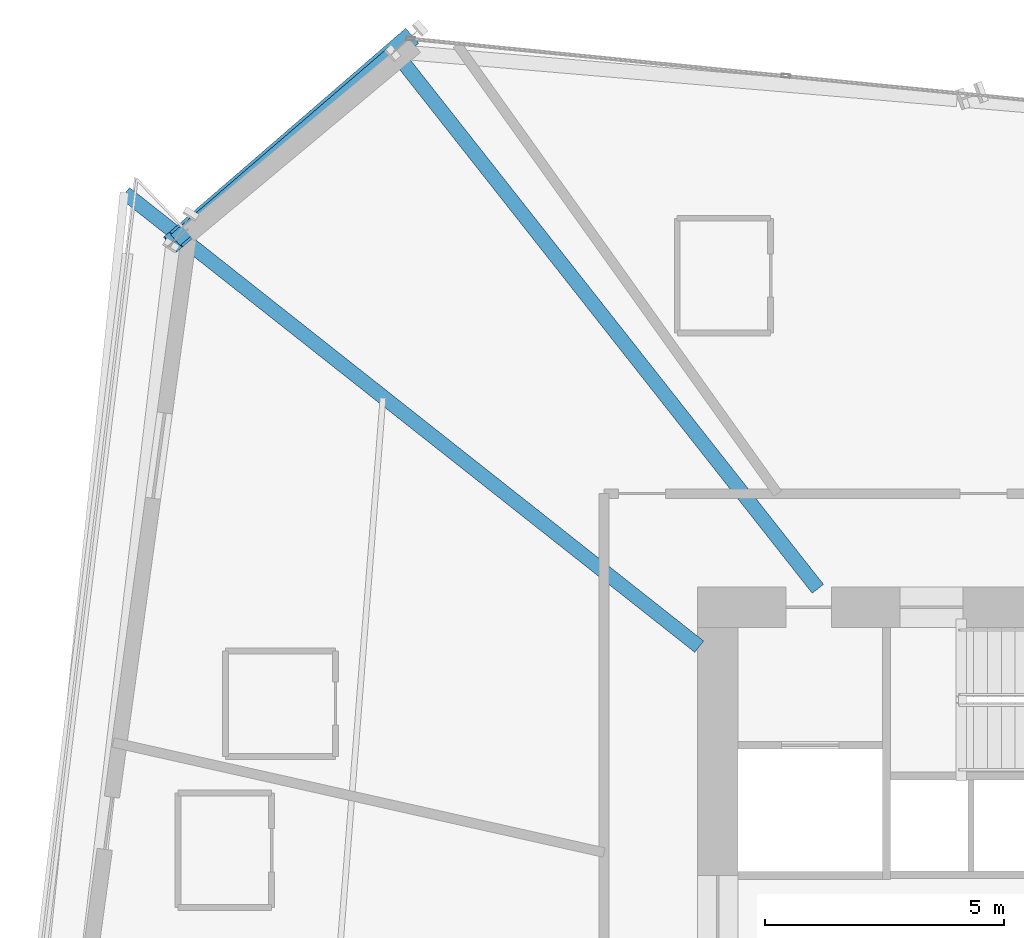
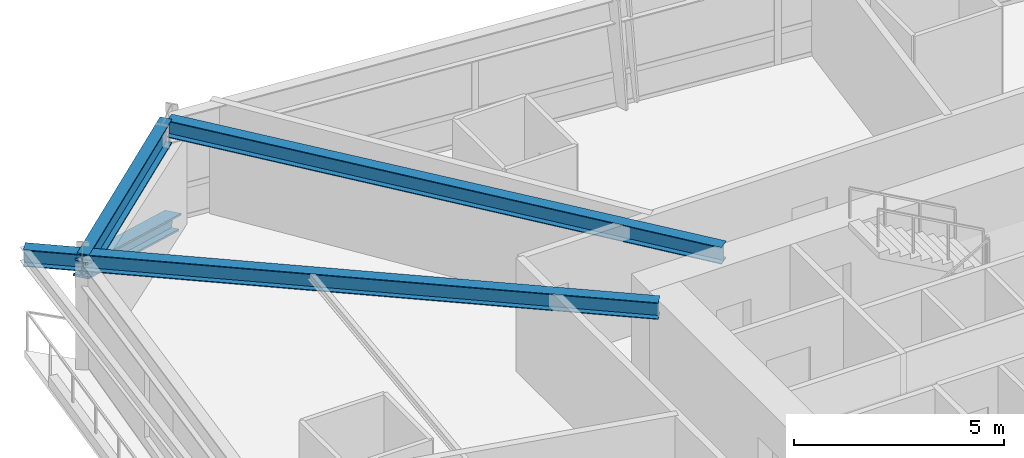
# One storey, part 9 of 24: 3 beams, 1 member.
"""IFC4 building model written with IfcOpenShell, lengths in metres."""

from ifc_helpers import new_model, si_unit, direction, frame, origin, origin_2d, place, context, subcontext, project, spatial, i_section, extrude, source, transform, mapped, material, material_profile, profile_set, type_object, element, save


model = new_model("IFC4")

# Units and contexts
model_context = context("Model", 3, precision=1e-05, world=origin(), true_north=direction((0.0, 1.0)))
body_context = subcontext(model_context, "Body", "Model", "MODEL_VIEW")
ifc_project = project(units=[si_unit("LENGTHUNIT", "METRE"), si_unit("AREAUNIT", "SQUARE_METRE"), si_unit("VOLUMEUNIT", "CUBIC_METRE"), si_unit("PLANEANGLEUNIT", "RADIAN"), si_unit("MASSUNIT", "GRAM", prefix="KILO")], contexts=[model_context])

# Site, building, storey
site_placement = place(None, origin())
site = spatial("IfcSite", under=ifc_project, at=site_placement, CompositionType="ELEMENT")
building_placement = place(site_placement, origin())
building = spatial("IfcBuilding", under=site, at=building_placement, Name="Olszyna Solenne Hotel", CompositionType="ELEMENT")
storey_placement = place(building_placement, frame((0.0, 0.0, 64.800048828125)))
storey = spatial("IfcBuildingStorey", under=building, at=storey_placement, Name="L16", CompositionType="ELEMENT", Elevation=64.800048828125)

# Beams
ifc_material_1 = material(Name="Steel S355J2", Category="steel")
ifc_material_profile_1 = material_profile(ifc_material_1, i_section(OverallWidth=0.300048828125, OverallDepth=0.699951171875, WebThickness=0.01708984375, FlangeThickness=0.031982421875, at=origin_2d()), Name="HEB 700", Category="load-bearing")
ifc_profile_set_1 = profile_set([ifc_material_profile_1], Name="Steel S355J2")
beam_type_1 = type_object("IfcBeamType", Name="BM-S1", PredefinedType="BEAM", material=ifc_profile_set_1)
shared_shape_1 = source(origin(), body_context, "Body", "SweptSolid", [
    extrude(i_section(OverallWidth=0.300048828125, OverallDepth=0.699951171875, WebThickness=0.01708984375, FlangeThickness=0.031982421875, at=origin_2d()), origin(), (0.0, 0.0, 1.0), 5.980224609375),
])
beam_1_placement = place(storey_placement, frame((22.8798828125, 45.694580078125, 2.949951171875), z_axis=(-0.758108498706, -0.652128441482, 0.0), x_axis=(0.652128441482, -0.758108498706, 0.0)))
element("IfcBeam", 1, at=beam_1_placement, inside=storey, type_object=beam_type_1, Name="Perimeter spandrel beam BM-S1 B-L16-0499", PredefinedType="BEAM", context=body_context, shape_type="MappedRepresentation", body=[
    mapped(shared_shape_1, transform((0.0, 0.0, 0.0), x_axis=(1.0, 0.0, 0.0), y_axis=(0.0, 1.0, 0.0), z_axis=(0.0, 0.0, 1.0), scale=1.0)),
])
ifc_material_profile_2 = material_profile(ifc_material_1, i_section(OverallWidth=0.300048828125, OverallDepth=0.489990234375, WebThickness=0.011962890625, FlangeThickness=0.02294921875, at=origin_2d()), Name="HEA 500", Category="load-bearing")
ifc_profile_set_2 = profile_set([ifc_material_profile_2], Name="Steel S355J2")
beam_type_2 = type_object("IfcBeamType", Name="BM-G1", PredefinedType="BEAM", material=ifc_profile_set_2)
shared_shape_2 = source(origin(), body_context, "Body", "SweptSolid", [
    extrude(i_section(OverallWidth=0.300048828125, OverallDepth=0.489990234375, WebThickness=0.011962890625, FlangeThickness=0.02294921875, at=origin_2d()), origin(), (0.0, 0.0, 1.0), 14.22802734375),
])
beam_2_placement = place(storey_placement, frame((22.96240234375, 45.686767578125, 3.054931640625), z_axis=(0.618864526798, -0.78549773868, 0.0), x_axis=(0.78549773868, 0.618864526798, 0.0)))
element("IfcBeam", 2, at=beam_2_placement, inside=storey, type_object=beam_type_2, Name="Radial floor girder BM-G1 B-L16-0510", PredefinedType="BEAM", context=body_context, shape_type="MappedRepresentation", body=[
    mapped(shared_shape_2, transform((0.0, 0.0, 0.0), x_axis=(1.0, 0.0, 0.0), y_axis=(0.0, 1.0, 0.0), z_axis=(0.0, 0.0, 1.0), scale=1.0)),
])
shared_shape_3 = source(origin(), body_context, "Body", "SweptSolid", [
    extrude(i_section(OverallWidth=0.300048828125, OverallDepth=0.489990234375, WebThickness=0.011962890625, FlangeThickness=0.02294921875, at=origin_2d()), origin(), (0.0, 0.0, 1.0), 15.284423828125),
])
beam_3_placement = place(storey_placement, frame((17.295654296875, 42.775634765625, 3.054931640625), z_axis=(0.78470773945, -0.619865923928, 0.0), x_axis=(0.619865923928, 0.78470773945, 0.0)))
element("IfcBeam", 3, at=beam_3_placement, inside=storey, type_object=beam_type_2, Name="Radial floor girder BM-G1 B-L16-0511", PredefinedType="BEAM", context=body_context, shape_type="MappedRepresentation", body=[
    mapped(shared_shape_3, transform((0.0, 0.0, 0.0), x_axis=(1.0, 0.0, 0.0), y_axis=(0.0, 1.0, 0.0), z_axis=(0.0, 0.0, 1.0), scale=1.0)),
])

# Member
ifc_material_2 = material(Name="Steel S460M", Category="steel")
ifc_material_profile_3 = material_profile(ifc_material_2, i_section(OverallWidth=0.412109375, OverallDepth=0.43505859375, WebThickness=0.031494140625, FlangeThickness=0.050048828125, at=origin_2d()), Name="HD 400x463", Category="load-bearing")
ifc_profile_set_3 = profile_set([ifc_material_profile_3], Name="Steel S460M")
member_type = type_object("IfcMemberType", Name="BR-T1", PredefinedType="BRACE", material=ifc_profile_set_3)
shared_shape_4 = source(origin(), body_context, "Body", "SweptSolid", [
    extrude(i_section(OverallWidth=0.412109375, OverallDepth=0.43505859375, WebThickness=0.031494140625, FlangeThickness=0.050048828125, at=origin_2d()), origin(), (0.0, 0.0, 1.0), 7.123779296875),
])
member_placement = place(storey_placement, frame((23.22412109375, 46.00634765625, 0.010009765625), z_axis=(-0.691138420313, -0.596688205289, 0.407787775242), x_axis=(0.653491848099, -0.756933553536, 0.0)))
element("IfcMember", 4, at=member_placement, inside=storey, type_object=member_type, Name="Perimeter braced-tube diagonal BR-T1 BR-L16-2", PredefinedType="BRACE", context=body_context, shape_type="MappedRepresentation", body=[
    mapped(shared_shape_4, transform((0.0, 0.0, 0.0), x_axis=(1.0, 0.0, 0.0), y_axis=(0.0, 1.0, 0.0), z_axis=(0.0, 0.0, 1.0), scale=1.0)),
])

save(model, "model.ifc")
